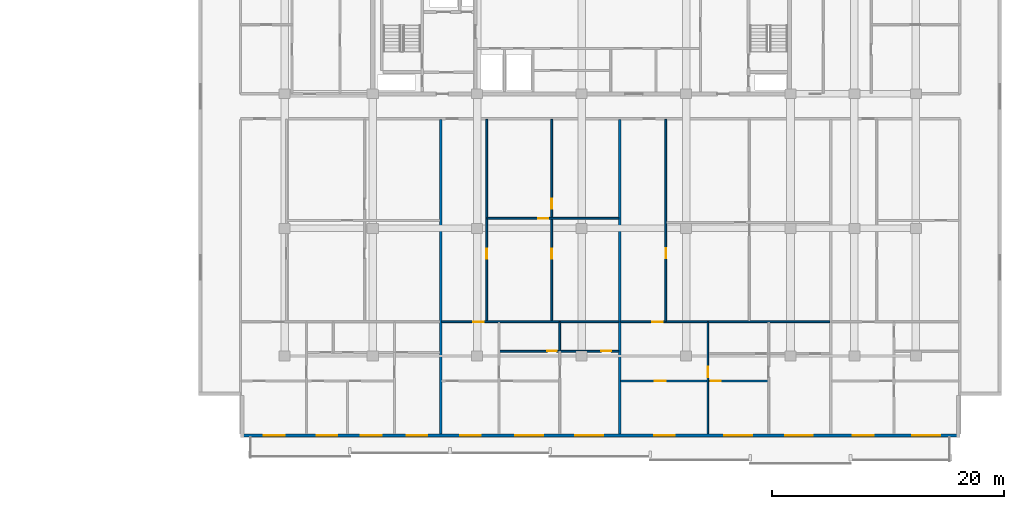
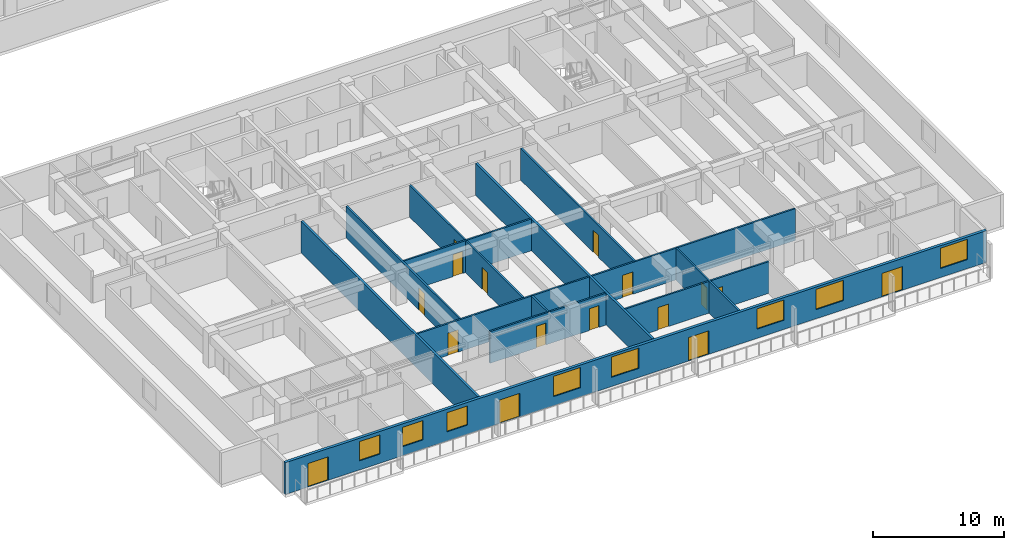
# One storey, part 4 of 23: 16 doors, 13 walls, 8 windows, 24 openings.
"""IFC4 building model written with IfcOpenShell, lengths in metres."""

from ifc_helpers import new_model, si_unit, direction, frame, frame_2d, origin, place, context, subcontext, project, spatial, rectangle, extrude, material, layer, layer_set, type_object, element, fill, save


model = new_model("IFC4")

# Units and contexts
model_context = context("Model", 3, precision=1e-05, world=origin(), true_north=direction((0.0, 1.0)))
body_context = subcontext(model_context, "Body", "Model", "MODEL_VIEW")
ifc_project = project(units=[si_unit("LENGTHUNIT", "METRE"), si_unit("AREAUNIT", "SQUARE_METRE"), si_unit("VOLUMEUNIT", "CUBIC_METRE"), si_unit("PLANEANGLEUNIT", "RADIAN"), si_unit("MASSUNIT", "GRAM", prefix="KILO")], contexts=[model_context])

# Site, building, storey
site_placement = place(None, origin())
site = spatial("IfcSite", under=ifc_project, at=site_placement, CompositionType="ELEMENT")
building_placement = place(site_placement, origin())
building = spatial("IfcBuilding", under=site, at=building_placement, Name="Korimba Cascade Residences", CompositionType="ELEMENT")
storey_placement = place(building_placement, frame((0.0, 0.0, 50.0)))
storey = spatial("IfcBuildingStorey", under=building, at=storey_placement, Name="L13", CompositionType="ELEMENT", Elevation=50.0)

# Wall, openings, doors, windows
ifc_material_1 = material(Name="Precast concrete C40/50", Category="concrete")
ifc_layer_1 = layer(ifc_material_1, 0.25)
ifc_layer_set_1 = layer_set([ifc_layer_1], Name="Precast concrete C40/50")
wall_type_1 = type_object("IfcWallType", Name="EW-LOG-250", PredefinedType="STANDARD", material=ifc_layer_set_1)
wall_1_placement = place(storey_placement, frame((70.699951171875, -11.050048828125, 0.0), z_axis=(0.0, 0.0, 1.0), x_axis=(1.0, 0.0, 0.0)))
wall_1 = element("IfcWall", 1, at=wall_1_placement, inside=storey, type_object=wall_type_1, Name="L13 T2 Perimeter Stone Wall E00", PredefinedType="STANDARD", context=body_context, shape_type="SweptSolid", body=[
    extrude(rectangle(XDim=62.0, YDim=0.25, at=frame_2d((31.0, 0.0))), origin(), (0.0, 0.0, 1.0), 2.969970703125),
])
opening_1_placement = place(wall_1_placement, frame((6.554931640625, 0.0, 0.85009765625)))
opening_1 = element("IfcOpeningElement", 2, at=opening_1_placement, cuts=wall_1, Name="Opening W-02", PredefinedType="OPENING", context=body_context, shape_type="SweptSolid", body=[
    extrude(rectangle(XDim=1.800048828125, YDim=1.800048828125, at=frame_2d((0.89990234375, 0.89990234375))), frame((0.0, 0.135009765625, 0.0), z_axis=(0.0, -1.0, 0.0), x_axis=(1.0, 0.0, 0.0)), (0.0, 0.0, 1.0), 0.27001953125),
])
opening_2_placement = place(wall_1_placement, frame((10.35498046875, 0.0, 0.85009765625)))
opening_2 = element("IfcOpeningElement", 3, at=opening_2_placement, cuts=wall_1, Name="Opening W-02", PredefinedType="OPENING", context=body_context, shape_type="SweptSolid", body=[
    extrude(rectangle(XDim=1.800048828125, YDim=1.800048828125, at=frame_2d((0.89990234375, 0.89990234375))), frame((0.0, 0.135009765625, 0.0), z_axis=(0.0, -1.0, 0.0), x_axis=(1.0, 0.0, 0.0)), (0.0, 0.0, 1.0), 0.27001953125),
])
opening_3_placement = place(wall_1_placement, frame((2.0, 0.0, 0.0)))
opening_3 = element("IfcOpeningElement", 4, at=opening_3_placement, cuts=wall_1, Name="Opening D-LG1", PredefinedType="OPENING", context=body_context, shape_type="SweptSolid", body=[
    extrude(rectangle(XDim=1.800048828125, YDim=2.199951171875, at=frame_2d((0.89990234375, 1.10009765625))), frame((0.0, 0.135009765625, 0.0), z_axis=(0.0, -1.0, 0.0), x_axis=(1.0, 0.0, 0.0)), (0.0, 0.0, 1.0), 0.27001953125),
])
opening_4_placement = place(wall_1_placement, frame((14.308349609375, 0.0, 0.85009765625)))
opening_4 = element("IfcOpeningElement", 5, at=opening_4_placement, cuts=wall_1, Name="Opening W-02", PredefinedType="OPENING", context=body_context, shape_type="SweptSolid", body=[
    extrude(rectangle(XDim=1.800048828125, YDim=1.800048828125, at=frame_2d((0.89990234375, 0.89990234375))), frame((0.0, 0.135009765625, 0.0), z_axis=(0.0, -1.0, 0.0), x_axis=(1.0, 0.0, 0.0)), (0.0, 0.0, 1.0), 0.27001953125),
])
opening_5_placement = place(wall_1_placement, frame((23.699951171875, 0.0, 0.85009765625)))
opening_5 = element("IfcOpeningElement", 6, at=opening_5_placement, cuts=wall_1, Name="Opening W-01", PredefinedType="OPENING", context=body_context, shape_type="SweptSolid", body=[
    extrude(rectangle(XDim=2.39990234375, YDim=1.89990234375, at=frame_2d((1.199951171875, 0.949951171875))), frame((0.0, 0.135009765625, 0.0), z_axis=(0.0, -1.0, 0.0), x_axis=(1.0, 0.0, 0.0)), (0.0, 0.0, 1.0), 0.27001953125),
])
opening_6_placement = place(wall_1_placement, frame((18.928466796875, 0.0, 0.0)))
opening_6 = element("IfcOpeningElement", 7, at=opening_6_placement, cuts=wall_1, Name="Opening D-LG1", PredefinedType="OPENING", context=body_context, shape_type="SweptSolid", body=[
    extrude(rectangle(XDim=1.800048828125, YDim=2.199951171875, at=frame_2d((0.89990234375, 1.10009765625))), frame((0.0, 0.135009765625, 0.0), z_axis=(0.0, -1.0, 0.0), x_axis=(1.0, 0.0, 0.0)), (0.0, 0.0, 1.0), 0.27001953125),
])
opening_7_placement = place(wall_1_placement, frame((28.843994140625, 0.0, 0.85009765625)))
opening_7 = element("IfcOpeningElement", 8, at=opening_7_placement, cuts=wall_1, Name="Opening W-01", PredefinedType="OPENING", context=body_context, shape_type="SweptSolid", body=[
    extrude(rectangle(XDim=2.39990234375, YDim=1.89990234375, at=frame_2d((1.199951171875, 0.949951171875))), frame((0.0, 0.135009765625, 0.0), z_axis=(0.0, -1.0, 0.0), x_axis=(1.0, 0.0, 0.0)), (0.0, 0.0, 1.0), 0.27001953125),
])
opening_8_placement = place(wall_1_placement, frame((41.699951171875, 0.0, 0.85009765625)))
opening_8 = element("IfcOpeningElement", 9, at=opening_8_placement, cuts=wall_1, Name="Opening W-01", PredefinedType="OPENING", context=body_context, shape_type="SweptSolid", body=[
    extrude(rectangle(XDim=2.39990234375, YDim=1.89990234375, at=frame_2d((1.199951171875, 0.949951171875))), frame((0.0, 0.135009765625, 0.0), z_axis=(0.0, -1.0, 0.0), x_axis=(1.0, 0.0, 0.0)), (0.0, 0.0, 1.0), 0.27001953125),
])
opening_9_placement = place(wall_1_placement, frame((35.64404296875, 0.0, 0.0)))
opening_9 = element("IfcOpeningElement", 10, at=opening_9_placement, cuts=wall_1, Name="Opening D-LG1", PredefinedType="OPENING", context=body_context, shape_type="SweptSolid", body=[
    extrude(rectangle(XDim=1.800048828125, YDim=2.199951171875, at=frame_2d((0.89990234375, 1.10009765625))), frame((0.0, 0.135009765625, 0.0), z_axis=(0.0, -1.0, 0.0), x_axis=(1.0, 0.0, 0.0)), (0.0, 0.0, 1.0), 0.27001953125),
])
opening_10_placement = place(wall_1_placement, frame((46.93505859375, 0.0, 0.85009765625)))
opening_10 = element("IfcOpeningElement", 11, at=opening_10_placement, cuts=wall_1, Name="Opening W-01", PredefinedType="OPENING", context=body_context, shape_type="SweptSolid", body=[
    extrude(rectangle(XDim=2.39990234375, YDim=1.89990234375, at=frame_2d((1.199951171875, 0.949951171875))), frame((0.0, 0.135009765625, 0.0), z_axis=(0.0, -1.0, 0.0), x_axis=(1.0, 0.0, 0.0)), (0.0, 0.0, 1.0), 0.27001953125),
])
opening_11_placement = place(wall_1_placement, frame((52.755126953125, 0.0, 0.0)))
opening_11 = element("IfcOpeningElement", 12, at=opening_11_placement, cuts=wall_1, Name="Opening D-LG1", PredefinedType="OPENING", context=body_context, shape_type="SweptSolid", body=[
    extrude(rectangle(XDim=1.800048828125, YDim=2.199951171875, at=frame_2d((0.89990234375, 1.10009765625))), frame((0.0, 0.135009765625, 0.0), z_axis=(0.0, -1.0, 0.0), x_axis=(1.0, 0.0, 0.0)), (0.0, 0.0, 1.0), 0.27001953125),
])
opening_12_placement = place(wall_1_placement, frame((57.89990234375, 0.0, 0.85009765625)))
opening_12 = element("IfcOpeningElement", 13, at=opening_12_placement, cuts=wall_1, Name="Opening W-01", PredefinedType="OPENING", context=body_context, shape_type="SweptSolid", body=[
    extrude(rectangle(XDim=2.39990234375, YDim=1.89990234375, at=frame_2d((1.199951171875, 0.949951171875))), frame((0.0, 0.135009765625, 0.0), z_axis=(0.0, -1.0, 0.0), x_axis=(1.0, 0.0, 0.0)), (0.0, 0.0, 1.0), 0.27001953125),
])
ifc_material_2 = material(Name="Glazed Aluminium Loggia Sliding Door", Category="aluminium")
door_type_1 = type_object("IfcDoorType", Name="DR-EXT-LOG", OperationType="NOTDEFINED", PredefinedType="DOOR", material=ifc_material_2)
door_1_placement = place(opening_3_placement, origin())
door_1 = element("IfcDoor", 14, at=door_1_placement, inside=storey, type_object=door_type_1, Name="L13 T2 Loggia Sliding Door 5", OperationType="SLIDING_TO_RIGHT", OverallHeight=2.199951171875, OverallWidth=1.800048828125, PredefinedType="DOOR", context=body_context, shape_type="SweptSolid", body=[
    extrude(rectangle(XDim=1.800048828125, YDim=2.199951171875, at=frame_2d((0.89990234375, 1.10009765625))), frame((0.0, 0.02490234375, 0.0), z_axis=(0.0, -1.0, 0.0), x_axis=(1.0, 0.0, 0.0)), (0.0, 0.0, 1.0), 0.050048828125),
])
fill(opening_3, door_1)
door_2_placement = place(opening_6_placement, origin())
door_2 = element("IfcDoor", 15, at=door_2_placement, inside=storey, type_object=door_type_1, Name="L13 T2 Loggia Sliding Door 8", OperationType="SLIDING_TO_RIGHT", OverallHeight=2.199951171875, OverallWidth=1.800048828125, PredefinedType="DOOR", context=body_context, shape_type="SweptSolid", body=[
    extrude(rectangle(XDim=1.800048828125, YDim=2.199951171875, at=frame_2d((0.89990234375, 1.10009765625))), frame((0.0, 0.02490234375, 0.0), z_axis=(0.0, -1.0, 0.0), x_axis=(1.0, 0.0, 0.0)), (0.0, 0.0, 1.0), 0.050048828125),
])
fill(opening_6, door_2)
door_3_placement = place(opening_9_placement, origin())
door_3 = element("IfcDoor", 16, at=door_3_placement, inside=storey, type_object=door_type_1, Name="L13 T2 Loggia Sliding Door 11", OperationType="SLIDING_TO_RIGHT", OverallHeight=2.199951171875, OverallWidth=1.800048828125, PredefinedType="DOOR", context=body_context, shape_type="SweptSolid", body=[
    extrude(rectangle(XDim=1.800048828125, YDim=2.199951171875, at=frame_2d((0.89990234375, 1.10009765625))), frame((0.0, 0.02490234375, 0.0), z_axis=(0.0, -1.0, 0.0), x_axis=(1.0, 0.0, 0.0)), (0.0, 0.0, 1.0), 0.050048828125),
])
fill(opening_9, door_3)
door_4_placement = place(opening_11_placement, origin())
door_4 = element("IfcDoor", 17, at=door_4_placement, inside=storey, type_object=door_type_1, Name="L13 T2 Loggia Sliding Door 13", OperationType="SLIDING_TO_RIGHT", OverallHeight=2.199951171875, OverallWidth=1.800048828125, PredefinedType="DOOR", context=body_context, shape_type="SweptSolid", body=[
    extrude(rectangle(XDim=1.800048828125, YDim=2.199951171875, at=frame_2d((0.89990234375, 1.10009765625))), frame((0.0, 0.02490234375, 0.0), z_axis=(0.0, -1.0, 0.0), x_axis=(1.0, 0.0, 0.0)), (0.0, 0.0, 1.0), 0.050048828125),
])
fill(opening_11, door_4)
ifc_material_3 = material(Name="Double-Glazed Aluminium Window", Category="aluminium")
window_type_1 = type_object("IfcWindowType", Name="WIN-BED-1800", PartitioningType="SINGLE_PANEL", PredefinedType="WINDOW", material=ifc_material_3)
window_1_placement = place(opening_1_placement, origin())
window_1 = element("IfcWindow", 18, at=window_1_placement, inside=storey, type_object=window_type_1, Name="L13 T2 South Facade Window 3", OverallHeight=1.800048828125, OverallWidth=1.800048828125, PartitioningType="SINGLE_PANEL", PredefinedType="WINDOW", context=body_context, shape_type="SweptSolid", body=[
    extrude(rectangle(XDim=1.800048828125, YDim=1.800048828125, at=frame_2d((0.89990234375, 0.89990234375))), frame((0.0, 0.030029296875, 0.0), z_axis=(0.0, -1.0, 0.0), x_axis=(1.0, 0.0, 0.0)), (0.0, 0.0, 1.0), 0.06005859375),
])
fill(opening_1, window_1)
window_2_placement = place(opening_2_placement, origin())
window_2 = element("IfcWindow", 19, at=window_2_placement, inside=storey, type_object=window_type_1, Name="L13 T2 South Facade Window 4", OverallHeight=1.800048828125, OverallWidth=1.800048828125, PartitioningType="SINGLE_PANEL", PredefinedType="WINDOW", context=body_context, shape_type="SweptSolid", body=[
    extrude(rectangle(XDim=1.800048828125, YDim=1.800048828125, at=frame_2d((0.89990234375, 0.89990234375))), frame((0.0, 0.030029296875, 0.0), z_axis=(0.0, -1.0, 0.0), x_axis=(1.0, 0.0, 0.0)), (0.0, 0.0, 1.0), 0.06005859375),
])
fill(opening_2, window_2)
window_3_placement = place(opening_4_placement, origin())
window_3 = element("IfcWindow", 20, at=window_3_placement, inside=storey, type_object=window_type_1, Name="L13 T2 South Facade Window 6", OverallHeight=1.800048828125, OverallWidth=1.800048828125, PartitioningType="SINGLE_PANEL", PredefinedType="WINDOW", context=body_context, shape_type="SweptSolid", body=[
    extrude(rectangle(XDim=1.800048828125, YDim=1.800048828125, at=frame_2d((0.89990234375, 0.89990234375))), frame((0.0, 0.030029296875, 0.0), z_axis=(0.0, -1.0, 0.0), x_axis=(1.0, 0.0, 0.0)), (0.0, 0.0, 1.0), 0.06005859375),
])
fill(opening_4, window_3)
window_type_2 = type_object("IfcWindowType", Name="WIN-RES-2400", PartitioningType="DOUBLE_PANEL_VERTICAL", PredefinedType="WINDOW", material=ifc_material_3)
window_4_placement = place(opening_5_placement, origin())
window_4 = element("IfcWindow", 21, at=window_4_placement, inside=storey, type_object=window_type_2, Name="L13 T2 South Facade Window 7", OverallHeight=1.89990234375, OverallWidth=2.39990234375, PartitioningType="DOUBLE_PANEL_VERTICAL", PredefinedType="WINDOW", context=body_context, shape_type="SweptSolid", body=[
    extrude(rectangle(XDim=2.39990234375, YDim=1.89990234375, at=frame_2d((1.199951171875, 0.949951171875))), frame((0.0, 0.030029296875, 0.0), z_axis=(0.0, -1.0, 0.0), x_axis=(1.0, 0.0, 0.0)), (0.0, 0.0, 1.0), 0.06005859375),
])
fill(opening_5, window_4)
window_5_placement = place(opening_7_placement, origin())
window_5 = element("IfcWindow", 22, at=window_5_placement, inside=storey, type_object=window_type_2, Name="L13 T2 South Facade Window 9", OverallHeight=1.89990234375, OverallWidth=2.39990234375, PartitioningType="DOUBLE_PANEL_VERTICAL", PredefinedType="WINDOW", context=body_context, shape_type="SweptSolid", body=[
    extrude(rectangle(XDim=2.39990234375, YDim=1.89990234375, at=frame_2d((1.199951171875, 0.949951171875))), frame((0.0, 0.030029296875, 0.0), z_axis=(0.0, -1.0, 0.0), x_axis=(1.0, 0.0, 0.0)), (0.0, 0.0, 1.0), 0.06005859375),
])
fill(opening_7, window_5)
window_6_placement = place(opening_8_placement, origin())
window_6 = element("IfcWindow", 23, at=window_6_placement, inside=storey, type_object=window_type_2, Name="L13 T2 South Facade Window 10", OverallHeight=1.89990234375, OverallWidth=2.39990234375, PartitioningType="DOUBLE_PANEL_VERTICAL", PredefinedType="WINDOW", context=body_context, shape_type="SweptSolid", body=[
    extrude(rectangle(XDim=2.39990234375, YDim=1.89990234375, at=frame_2d((1.199951171875, 0.949951171875))), frame((0.0, 0.030029296875, 0.0), z_axis=(0.0, -1.0, 0.0), x_axis=(1.0, 0.0, 0.0)), (0.0, 0.0, 1.0), 0.06005859375),
])
fill(opening_8, window_6)
window_7_placement = place(opening_10_placement, origin())
window_7 = element("IfcWindow", 24, at=window_7_placement, inside=storey, type_object=window_type_2, Name="L13 T2 South Facade Window 12", OverallHeight=1.89990234375, OverallWidth=2.39990234375, PartitioningType="DOUBLE_PANEL_VERTICAL", PredefinedType="WINDOW", context=body_context, shape_type="SweptSolid", body=[
    extrude(rectangle(XDim=2.39990234375, YDim=1.89990234375, at=frame_2d((1.199951171875, 0.949951171875))), frame((0.0, 0.030029296875, 0.0), z_axis=(0.0, -1.0, 0.0), x_axis=(1.0, 0.0, 0.0)), (0.0, 0.0, 1.0), 0.06005859375),
])
fill(opening_10, window_7)
window_8_placement = place(opening_12_placement, origin())
window_8 = element("IfcWindow", 25, at=window_8_placement, inside=storey, type_object=window_type_2, Name="L13 T2 South Facade Window 14", OverallHeight=1.89990234375, OverallWidth=2.39990234375, PartitioningType="DOUBLE_PANEL_VERTICAL", PredefinedType="WINDOW", context=body_context, shape_type="SweptSolid", body=[
    extrude(rectangle(XDim=2.39990234375, YDim=1.89990234375, at=frame_2d((1.199951171875, 0.949951171875))), frame((0.0, 0.030029296875, 0.0), z_axis=(0.0, -1.0, 0.0), x_axis=(1.0, 0.0, 0.0)), (0.0, 0.0, 1.0), 0.06005859375),
])
fill(opening_12, window_8)

# Walls
ifc_layer_2 = layer(ifc_material_1, 0.199951171875)
ifc_layer_set_2 = layer_set([ifc_layer_2], Name="Precast concrete C40/50")
wall_type_2 = type_object("IfcWallType", Name="WAL-IT-200", PredefinedType="PARTITIONING", material=ifc_layer_set_2)
for number, where, z_axis, x_axis, name in (
    (26, (87.956787109375, -10.89990234375, 0.0), (0.0, 0.0, 1.0), (0.0, 1.0, 0.0), "L13 Partition Wall WAL-L13-T2-DEM-1"),
    (27, (103.387939453125, -10.89990234375, 0.0), (0.0, 0.0, 1.0), (0.0, 1.0, 0.0), "L13 Partition Wall WAL-L13-T2-DEM-2"),
):
    element("IfcWall", number, at=place(storey_placement, frame(where, z_axis=z_axis, x_axis=x_axis)), inside=storey, type_object=wall_type_2, Name=name, PredefinedType="PARTITIONING", context=body_context, shape_type="SweptSolid", body=[
        extrude(rectangle(XDim=27.06982421875, YDim=0.199951171875, at=frame_2d((13.534912109375, 0.0))), origin(), (0.0, 0.0, 1.0), 2.969970703125),
    ])

# Wall, openings, doors
ifc_material_4 = material(Name="Insulated Acoustic Stud Partition", Category="gypsum")
ifc_layer_3 = layer(ifc_material_4, 0.14990234375)
ifc_layer_set_3 = layer_set([ifc_layer_3], Name="Insulated Acoustic Stud Partition")
wall_type_3 = type_object("IfcWallType", Name="WAL-PART-150", PredefinedType="PARTITIONING", material=ifc_layer_set_3)
wall_2_placement = place(storey_placement, frame((97.52734375, -1.2099609375, 0.0), z_axis=(0.0, 0.0, 1.0), x_axis=(0.0, 1.0, 0.0)))
wall_2 = element("IfcWall", 28, at=wall_2_placement, inside=storey, type_object=wall_type_3, Name="L13 Partition Wall WAL-L13-T2-U02-FMV", PredefinedType="PARTITIONING", context=body_context, shape_type="SweptSolid", body=[
    extrude(rectangle(XDim=17.39990234375, YDim=0.14990234375, at=frame_2d((8.699951171875, 0.0))), origin(), (0.0, 0.0, 1.0), 2.969970703125),
])
opening_13_placement = place(wall_2_placement, frame((5.4091796875, 0.0, 0.0)))
opening_13 = element("IfcOpeningElement", 29, at=opening_13_placement, cuts=wall_2, Name="Opening D-BT1", PredefinedType="OPENING", context=body_context, shape_type="SweptSolid", body=[
    extrude(rectangle(XDim=0.840087890625, YDim=2.0400390625, at=frame_2d((0.419921875, 1.02001953125))), frame((0.0, 0.0849609375, 0.0), z_axis=(0.0, -1.0, 0.0), x_axis=(1.0, 0.0, 0.0)), (0.0, 0.0, 1.0), 0.169921875),
])
opening_14_placement = place(wall_2_placement, frame((9.693115234375, 0.0, 0.0)))
opening_14 = element("IfcOpeningElement", 30, at=opening_14_placement, cuts=wall_2, Name="Opening D-IN2", PredefinedType="OPENING", context=body_context, shape_type="SweptSolid", body=[
    extrude(rectangle(XDim=0.8798828125, YDim=2.06005859375, at=frame_2d((0.43994140625, 1.030029296875))), frame((0.0, 0.0849609375, 0.0), z_axis=(0.0, -1.0, 0.0), x_axis=(1.0, 0.0, 0.0)), (0.0, 0.0, 1.0), 0.169921875),
])
ifc_material_5 = material(Name="Moisture-Resistant Bathroom Timber Door", Category="wood")
door_type_2 = type_object("IfcDoorType", Name="DR-INT-850", OperationType="NOTDEFINED", PredefinedType="DOOR", material=ifc_material_5)
door_5_placement = place(opening_13_placement, origin())
door_5 = element("IfcDoor", 31, at=door_5_placement, inside=storey, type_object=door_type_2, Name="L13-T2-U02 Wardrobe Door", OperationType="SINGLE_SWING_LEFT", OverallHeight=2.0400390625, OverallWidth=0.840087890625, PredefinedType="DOOR", context=body_context, shape_type="SweptSolid", body=[
    extrude(rectangle(XDim=0.840087890625, YDim=2.0400390625, at=frame_2d((0.419921875, 1.02001953125))), frame((0.0, 0.02490234375, 0.0), z_axis=(0.0, -1.0, 0.0), x_axis=(1.0, 0.0, 0.0)), (0.0, 0.0, 1.0), 0.050048828125),
])
fill(opening_13, door_5)
ifc_material_6 = material(Name="Acoustic Timber Bedroom Door", Category="wood")
door_type_3 = type_object("IfcDoorType", Name="DR-INT-880", OperationType="NOTDEFINED", PredefinedType="DOOR", material=ifc_material_6)
door_6_placement = place(opening_14_placement, origin())
door_6 = element("IfcDoor", 32, at=door_6_placement, inside=storey, type_object=door_type_3, Name="L13-T2-U02 Music Lounge Door", OperationType="SINGLE_SWING_RIGHT", OverallHeight=2.06005859375, OverallWidth=0.8798828125, PredefinedType="DOOR", context=body_context, shape_type="SweptSolid", body=[
    extrude(rectangle(XDim=0.8798828125, YDim=2.06005859375, at=frame_2d((0.43994140625, 1.030029296875))), frame((0.0, 0.02490234375, 0.0), z_axis=(0.0, -1.0, 0.0), x_axis=(1.0, 0.0, 0.0)), (0.0, 0.0, 1.0), 0.050048828125),
])
fill(opening_14, door_6)

# Wall, opening, door
wall_3_placement = place(storey_placement, frame((91.98681640625, 7.669921875, 0.0), z_axis=(0.0, 0.0, 1.0), x_axis=(1.0, 0.0, 0.0)))
wall_3 = element("IfcWall", 33, at=wall_3_placement, inside=storey, type_object=wall_type_3, Name="L13 Partition Wall WAL-L13-T2-U02-FMH", PredefinedType="PARTITIONING", context=body_context, shape_type="SweptSolid", body=[
    extrude(rectangle(XDim=11.3212890625, YDim=0.14990234375, at=frame_2d((5.66064453125, 0.0))), origin(), (0.0, 0.0, 1.0), 2.969970703125),
])
opening_15_placement = place(wall_3_placement, frame((4.35888671875, 0.0, 0.0)))
opening_15 = element("IfcOpeningElement", 34, at=opening_15_placement, cuts=wall_3, Name="Opening D-IN2", PredefinedType="OPENING", context=body_context, shape_type="SweptSolid", body=[
    extrude(rectangle(XDim=0.8798828125, YDim=2.06005859375, at=frame_2d((0.43994140625, 1.030029296875))), frame((0.0, 0.0849609375, 0.0), z_axis=(0.0, -1.0, 0.0), x_axis=(1.0, 0.0, 0.0)), (0.0, 0.0, 1.0), 0.169921875),
])
door_7_placement = place(opening_15_placement, origin())
door_7 = element("IfcDoor", 35, at=door_7_placement, inside=storey, type_object=door_type_3, Name="L13-T2-U02 Library Salon Door", OperationType="SINGLE_SWING_LEFT", OverallHeight=2.06005859375, OverallWidth=0.8798828125, PredefinedType="DOOR", context=body_context, shape_type="SweptSolid", body=[
    extrude(rectangle(XDim=0.8798828125, YDim=2.06005859375, at=frame_2d((0.43994140625, 1.030029296875))), frame((0.0, 0.02490234375, 0.0), z_axis=(0.0, -1.0, 0.0), x_axis=(1.0, 0.0, 0.0)), (0.0, 0.0, 1.0), 0.050048828125),
])
fill(opening_15, door_7)

wall_4_placement = place(storey_placement, frame((91.9267578125, -1.2099609375, 0.0), z_axis=(0.0, 0.0, 1.0), x_axis=(0.0, 1.0, 0.0)))
wall_4 = element("IfcWall", 36, at=wall_4_placement, inside=storey, type_object=wall_type_3, Name="L13 Partition Wall WAL-L13-T2-U02-FV", PredefinedType="PARTITIONING", context=body_context, shape_type="SweptSolid", body=[
    extrude(rectangle(XDim=17.39990234375, YDim=0.14990234375, at=frame_2d((8.699951171875, 0.0))), origin(), (0.0, 0.0, 1.0), 2.969970703125),
])
opening_16_placement = place(wall_4_placement, frame((5.382080078125, 0.0, 0.0)))
opening_16 = element("IfcOpeningElement", 37, at=opening_16_placement, cuts=wall_4, Name="Opening D-IN2", PredefinedType="OPENING", context=body_context, shape_type="SweptSolid", body=[
    extrude(rectangle(XDim=0.8798828125, YDim=2.06005859375, at=frame_2d((0.43994140625, 1.030029296875))), frame((0.0, 0.0849609375, 0.0), z_axis=(0.0, -1.0, 0.0), x_axis=(1.0, 0.0, 0.0)), (0.0, 0.0, 1.0), 0.169921875),
])
door_8_placement = place(opening_16_placement, origin())
door_8 = element("IfcDoor", 38, at=door_8_placement, inside=storey, type_object=door_type_3, Name="L13-T2-U02 Media Lounge Door", OperationType="SINGLE_SWING_RIGHT", OverallHeight=2.06005859375, OverallWidth=0.8798828125, PredefinedType="DOOR", context=body_context, shape_type="SweptSolid", body=[
    extrude(rectangle(XDim=0.8798828125, YDim=2.06005859375, at=frame_2d((0.43994140625, 1.030029296875))), frame((0.0, 0.02490234375, 0.0), z_axis=(0.0, -1.0, 0.0), x_axis=(1.0, 0.0, 0.0)), (0.0, 0.0, 1.0), 0.050048828125),
])
fill(opening_16, door_8)

# Wall
wall_5_placement = place(storey_placement, frame((98.219970703125, -3.760009765625, 0.0), z_axis=(0.0, 0.0, 1.0), x_axis=(0.0, 1.0, 0.0)))
element("IfcWall", 39, at=wall_5_placement, inside=storey, type_object=wall_type_3, Name="L13 Partition Wall WAL-L13-T2-U02-VBATH", PredefinedType="PARTITIONING", context=body_context, shape_type="SweptSolid", body=[
    extrude(rectangle(XDim=2.469970703125, YDim=0.14990234375, at=frame_2d((1.23486328125, 0.0))), origin(), (0.0, 0.0, 1.0), 2.969970703125),
])

# Wall, openings, doors
wall_6_placement = place(storey_placement, frame((93.02001953125, -3.780029296875, 0.0), z_axis=(0.0, 0.0, 1.0), x_axis=(1.0, 0.0, 0.0)))
wall_6 = element("IfcWall", 40, at=wall_6_placement, inside=storey, type_object=wall_type_3, Name="L13 Partition Wall WAL-L13-T2-U02-HWALL", PredefinedType="PARTITIONING", context=body_context, shape_type="SweptSolid", body=[
    extrude(rectangle(XDim=10.2880859375, YDim=0.14990234375, at=frame_2d((5.14404296875, 0.0))), origin(), (0.0, 0.0, 1.0), 2.969970703125),
])
opening_17_placement = place(wall_6_placement, frame((4.110107421875, 0.0, 0.0)))
opening_17 = element("IfcOpeningElement", 41, at=opening_17_placement, cuts=wall_6, Name="Opening D-BT1", PredefinedType="OPENING", context=body_context, shape_type="SweptSolid", body=[
    extrude(rectangle(XDim=0.840087890625, YDim=2.0400390625, at=frame_2d((0.419921875, 1.02001953125))), frame((0.0, 0.0849609375, 0.0), z_axis=(0.0, -1.0, 0.0), x_axis=(1.0, 0.0, 0.0)), (0.0, 0.0, 1.0), 0.169921875),
])
opening_18_placement = place(wall_6_placement, frame((8.787109375, 0.0, 0.0)))
opening_18 = element("IfcOpeningElement", 42, at=opening_18_placement, cuts=wall_6, Name="Opening D-BT1", PredefinedType="OPENING", context=body_context, shape_type="SweptSolid", body=[
    extrude(rectangle(XDim=0.840087890625, YDim=2.0400390625, at=frame_2d((0.419921875, 1.02001953125))), frame((0.0, 0.0849609375, 0.0), z_axis=(0.0, -1.0, 0.0), x_axis=(1.0, 0.0, 0.0)), (0.0, 0.0, 1.0), 0.169921875),
])
door_9_placement = place(opening_17_placement, origin())
door_9 = element("IfcDoor", 43, at=door_9_placement, inside=storey, type_object=door_type_2, Name="L13-T2-U02 Family Bathroom Door", OperationType="SINGLE_SWING_LEFT", OverallHeight=2.0400390625, OverallWidth=0.840087890625, PredefinedType="DOOR", context=body_context, shape_type="SweptSolid", body=[
    extrude(rectangle(XDim=0.840087890625, YDim=2.0400390625, at=frame_2d((0.419921875, 1.02001953125))), frame((0.0, 0.02490234375, 0.0), z_axis=(0.0, -1.0, 0.0), x_axis=(1.0, 0.0, 0.0)), (0.0, 0.0, 1.0), 0.050048828125),
])
fill(opening_17, door_9)
door_10_placement = place(opening_18_placement, origin())
door_10 = element("IfcDoor", 44, at=door_10_placement, inside=storey, type_object=door_type_2, Name="L13-T2-U02 En-Suite Door", OperationType="SINGLE_SWING_RIGHT", OverallHeight=2.0400390625, OverallWidth=0.840087890625, PredefinedType="DOOR", context=body_context, shape_type="SweptSolid", body=[
    extrude(rectangle(XDim=0.840087890625, YDim=2.0400390625, at=frame_2d((0.419921875, 1.02001953125))), frame((0.0, 0.02490234375, 0.0), z_axis=(0.0, -1.0, 0.0), x_axis=(1.0, 0.0, 0.0)), (0.0, 0.0, 1.0), 0.050048828125),
])
fill(opening_18, door_10)

# Wall, opening, door
wall_7_placement = place(storey_placement, frame((88.03662109375, -1.25, 0.0), z_axis=(0.0, 0.0, 1.0), x_axis=(1.0, 0.0, 0.0)))
wall_7 = element("IfcWall", 45, at=wall_7_placement, inside=storey, type_object=wall_type_3, Name="L13 Partition Wall WAL-L13-T2-U02-MW", PredefinedType="PARTITIONING", context=body_context, shape_type="SweptSolid", body=[
    extrude(rectangle(XDim=15.271484375, YDim=0.14990234375, at=frame_2d((7.6357421875, 0.0))), origin(), (0.0, 0.0, 1.0), 2.969970703125),
])
opening_19_placement = place(wall_7_placement, frame((2.719970703125, 0.0, 0.0)))
opening_19 = element("IfcOpeningElement", 46, at=opening_19_placement, cuts=wall_7, Name="Opening D-IN1", PredefinedType="OPENING", context=body_context, shape_type="SweptSolid", body=[
    extrude(rectangle(XDim=0.919921875, YDim=2.080078125, at=frame_2d((0.4599609375, 1.0400390625))), frame((0.0, 0.0849609375, 0.0), z_axis=(0.0, -1.0, 0.0), x_axis=(1.0, 0.0, 0.0)), (0.0, 0.0, 1.0), 0.169921875),
])
ifc_material_7 = material(Name="Acoustic Timber Living Door", Category="wood")
door_type_4 = type_object("IfcDoorType", Name="DR-INT-920", OperationType="NOTDEFINED", PredefinedType="DOOR", material=ifc_material_7)
door_11_placement = place(opening_19_placement, origin())
door_11 = element("IfcDoor", 47, at=door_11_placement, inside=storey, type_object=door_type_4, Name="L13-T2-U02 Kitchen Door", OperationType="SINGLE_SWING_LEFT", OverallHeight=2.080078125, OverallWidth=0.919921875, PredefinedType="DOOR", context=body_context, shape_type="SweptSolid", body=[
    extrude(rectangle(XDim=0.919921875, YDim=2.080078125, at=frame_2d((0.4599609375, 1.0400390625))), frame((0.0, 0.02490234375, 0.0), z_axis=(0.0, -1.0, 0.0), x_axis=(1.0, 0.0, 0.0)), (0.0, 0.0, 1.0), 0.050048828125),
])
fill(opening_19, door_11)

wall_8_placement = place(storey_placement, frame((107.35791015625, -1.2099609375, 0.0), z_axis=(0.0, 0.0, 1.0), x_axis=(0.0, 1.0, 0.0)))
wall_8 = element("IfcWall", 48, at=wall_8_placement, inside=storey, type_object=wall_type_3, Name="L13 Partition Wall WAL-L13-T2-U03-FV", PredefinedType="PARTITIONING", context=body_context, shape_type="SweptSolid", body=[
    extrude(rectangle(XDim=17.39990234375, YDim=0.14990234375, at=frame_2d((8.699951171875, 0.0))), origin(), (0.0, 0.0, 1.0), 2.969970703125),
])
opening_20_placement = place(wall_8_placement, frame((5.418701171875, 0.0, 0.0)))
opening_20 = element("IfcOpeningElement", 49, at=opening_20_placement, cuts=wall_8, Name="Opening D-IN2", PredefinedType="OPENING", context=body_context, shape_type="SweptSolid", body=[
    extrude(rectangle(XDim=0.8798828125, YDim=2.06005859375, at=frame_2d((0.43994140625, 1.030029296875))), frame((0.0, 0.0849609375, 0.0), z_axis=(0.0, -1.0, 0.0), x_axis=(1.0, 0.0, 0.0)), (0.0, 0.0, 1.0), 0.169921875),
])
door_12_placement = place(opening_20_placement, origin())
door_12 = element("IfcDoor", 50, at=door_12_placement, inside=storey, type_object=door_type_3, Name="L13-T2-U03 Media Lounge Door", OperationType="SINGLE_SWING_LEFT", OverallHeight=2.06005859375, OverallWidth=0.8798828125, PredefinedType="DOOR", context=body_context, shape_type="SweptSolid", body=[
    extrude(rectangle(XDim=0.8798828125, YDim=2.06005859375, at=frame_2d((0.43994140625, 1.030029296875))), frame((0.0, 0.02490234375, 0.0), z_axis=(0.0, -1.0, 0.0), x_axis=(1.0, 0.0, 0.0)), (0.0, 0.0, 1.0), 0.050048828125),
])
fill(opening_20, door_12)

wall_9_placement = place(storey_placement, frame((110.97998046875, -10.89990234375, 0.0), z_axis=(0.0, 0.0, 1.0), x_axis=(0.0, 1.0, 0.0)))
wall_9 = element("IfcWall", 51, at=wall_9_placement, inside=storey, type_object=wall_type_3, Name="L13 Partition Wall WAL-L13-T2-U03-V1", PredefinedType="PARTITIONING", context=body_context, shape_type="SweptSolid", body=[
    extrude(rectangle(XDim=9.60986328125, YDim=0.14990234375, at=frame_2d((4.804931640625, 0.0))), origin(), (0.0, 0.0, 1.0), 2.969970703125),
])
opening_21_placement = place(wall_9_placement, frame((4.8701171875, 0.0, 0.0)))
opening_21 = element("IfcOpeningElement", 52, at=opening_21_placement, cuts=wall_9, Name="Opening D-IN1", PredefinedType="OPENING", context=body_context, shape_type="SweptSolid", body=[
    extrude(rectangle(XDim=0.919921875, YDim=2.080078125, at=frame_2d((0.4599609375, 1.0400390625))), frame((0.0, 0.0849609375, 0.0), z_axis=(0.0, -1.0, 0.0), x_axis=(1.0, 0.0, 0.0)), (0.0, 0.0, 1.0), 0.169921875),
])
door_13_placement = place(opening_21_placement, origin())
door_13 = element("IfcDoor", 53, at=door_13_placement, inside=storey, type_object=door_type_4, Name="L13-T2-U03 Hallway Door", OperationType="SINGLE_SWING_RIGHT", OverallHeight=2.080078125, OverallWidth=0.919921875, PredefinedType="DOOR", context=body_context, shape_type="SweptSolid", body=[
    extrude(rectangle(XDim=0.919921875, YDim=2.080078125, at=frame_2d((0.4599609375, 1.0400390625))), frame((0.0, 0.02490234375, 0.0), z_axis=(0.0, -1.0, 0.0), x_axis=(1.0, 0.0, 0.0)), (0.0, 0.0, 1.0), 0.050048828125),
])
fill(opening_21, door_13)

wall_10_placement = place(storey_placement, frame((103.468017578125, -1.25, 0.0), z_axis=(0.0, 0.0, 1.0), x_axis=(1.0, 0.0, 0.0)))
wall_10 = element("IfcWall", 54, at=wall_10_placement, inside=storey, type_object=wall_type_3, Name="L13 Partition Wall WAL-L13-T2-U03-MW", PredefinedType="PARTITIONING", context=body_context, shape_type="SweptSolid", body=[
    extrude(rectangle(XDim=18.02197265625, YDim=0.14990234375, at=frame_2d((9.010986328125, 0.0))), origin(), (0.0, 0.0, 1.0), 2.969970703125),
])
opening_22_placement = place(wall_10_placement, frame((2.719970703125, 0.0, 0.0)))
opening_22 = element("IfcOpeningElement", 55, at=opening_22_placement, cuts=wall_10, Name="Opening D-IN1", PredefinedType="OPENING", context=body_context, shape_type="SweptSolid", body=[
    extrude(rectangle(XDim=0.919921875, YDim=2.080078125, at=frame_2d((0.4599609375, 1.0400390625))), frame((0.0, 0.0849609375, 0.0), z_axis=(0.0, -1.0, 0.0), x_axis=(1.0, 0.0, 0.0)), (0.0, 0.0, 1.0), 0.169921875),
])
door_14_placement = place(opening_22_placement, origin())
door_14 = element("IfcDoor", 56, at=door_14_placement, inside=storey, type_object=door_type_4, Name="L13-T2-U03 Kitchen Door", OperationType="SINGLE_SWING_RIGHT", OverallHeight=2.080078125, OverallWidth=0.919921875, PredefinedType="DOOR", context=body_context, shape_type="SweptSolid", body=[
    extrude(rectangle(XDim=0.919921875, YDim=2.080078125, at=frame_2d((0.4599609375, 1.0400390625))), frame((0.0, 0.02490234375, 0.0), z_axis=(0.0, -1.0, 0.0), x_axis=(1.0, 0.0, 0.0)), (0.0, 0.0, 1.0), 0.050048828125),
])
fill(opening_22, door_14)

# Wall, openings, doors
wall_11_placement = place(storey_placement, frame((103.468017578125, -6.35009765625, 0.0), z_axis=(0.0, 0.0, 1.0), x_axis=(1.0, 0.0, 0.0)))
wall_11 = element("IfcWall", 57, at=wall_11_placement, inside=storey, type_object=wall_type_3, Name="L13 Partition Wall WAL-L13-T2-U03-HZ", PredefinedType="PARTITIONING", context=body_context, shape_type="SweptSolid", body=[
    extrude(rectangle(XDim=12.751953125, YDim=0.14990234375, at=frame_2d((6.3759765625, 0.0))), origin(), (0.0, 0.0, 1.0), 2.969970703125),
])
opening_23_placement = place(wall_11_placement, frame((2.921630859375, 0.0, 0.0)))
opening_23 = element("IfcOpeningElement", 58, at=opening_23_placement, cuts=wall_11, Name="Opening D-IN0", PredefinedType="OPENING", context=body_context, shape_type="SweptSolid", body=[
    extrude(rectangle(XDim=0.93994140625, YDim=2.10009765625, at=frame_2d((0.469970703125, 1.050048828125))), frame((0.0, 0.0849609375, 0.0), z_axis=(0.0, -1.0, 0.0), x_axis=(1.0, 0.0, 0.0)), (0.0, 0.0, 1.0), 0.169921875),
])
opening_24_placement = place(wall_11_placement, frame((7.761962890625, 0.0, 0.0)))
opening_24 = element("IfcOpeningElement", 59, at=opening_24_placement, cuts=wall_11, Name="Opening D-IN2", PredefinedType="OPENING", context=body_context, shape_type="SweptSolid", body=[
    extrude(rectangle(XDim=0.8798828125, YDim=2.06005859375, at=frame_2d((0.43994140625, 1.030029296875))), frame((0.0, 0.0849609375, 0.0), z_axis=(0.0, -1.0, 0.0), x_axis=(1.0, 0.0, 0.0)), (0.0, 0.0, 1.0), 0.169921875),
])
door_15_placement = place(opening_24_placement, origin())
door_15 = element("IfcDoor", 60, at=door_15_placement, inside=storey, type_object=door_type_3, Name="L13-T2-U03 Bedroom 2 Door", OperationType="SINGLE_SWING_RIGHT", OverallHeight=2.06005859375, OverallWidth=0.8798828125, PredefinedType="DOOR", context=body_context, shape_type="SweptSolid", body=[
    extrude(rectangle(XDim=0.8798828125, YDim=2.06005859375, at=frame_2d((0.43994140625, 1.030029296875))), frame((0.0, 0.02490234375, 0.0), z_axis=(0.0, -1.0, 0.0), x_axis=(1.0, 0.0, 0.0)), (0.0, 0.0, 1.0), 0.050048828125),
])
fill(opening_24, door_15)
ifc_material_8 = material(Name="Acoustic Timber Living Archway Door", Category="wood")
door_type_5 = type_object("IfcDoorType", Name="DR-INT-950", OperationType="NOTDEFINED", PredefinedType="DOOR", material=ifc_material_8)
door_16_placement = place(opening_23_placement, origin())
door_16 = element("IfcDoor", 61, at=door_16_placement, inside=storey, type_object=door_type_5, Name="L13-T2-U03 Living Room Door", OperationType="SINGLE_SWING_LEFT", OverallHeight=2.10009765625, OverallWidth=0.93994140625, PredefinedType="DOOR", context=body_context, shape_type="SweptSolid", body=[
    extrude(rectangle(XDim=0.93994140625, YDim=2.10009765625, at=frame_2d((0.469970703125, 1.050048828125))), frame((0.0, 0.02490234375, 0.0), z_axis=(0.0, -1.0, 0.0), x_axis=(1.0, 0.0, 0.0)), (0.0, 0.0, 1.0), 0.050048828125),
])
fill(opening_23, door_16)

save(model, "model.ifc")
